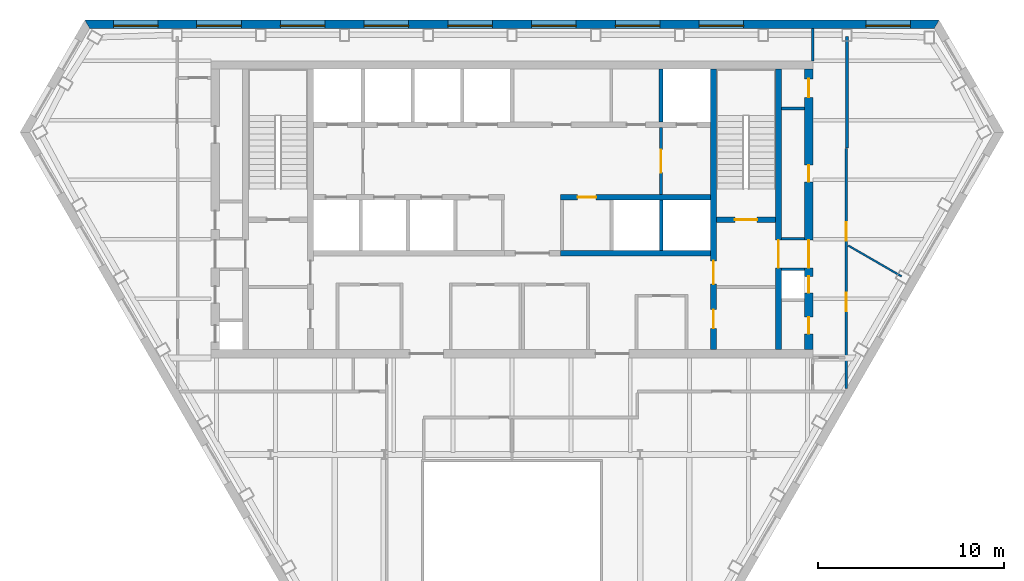
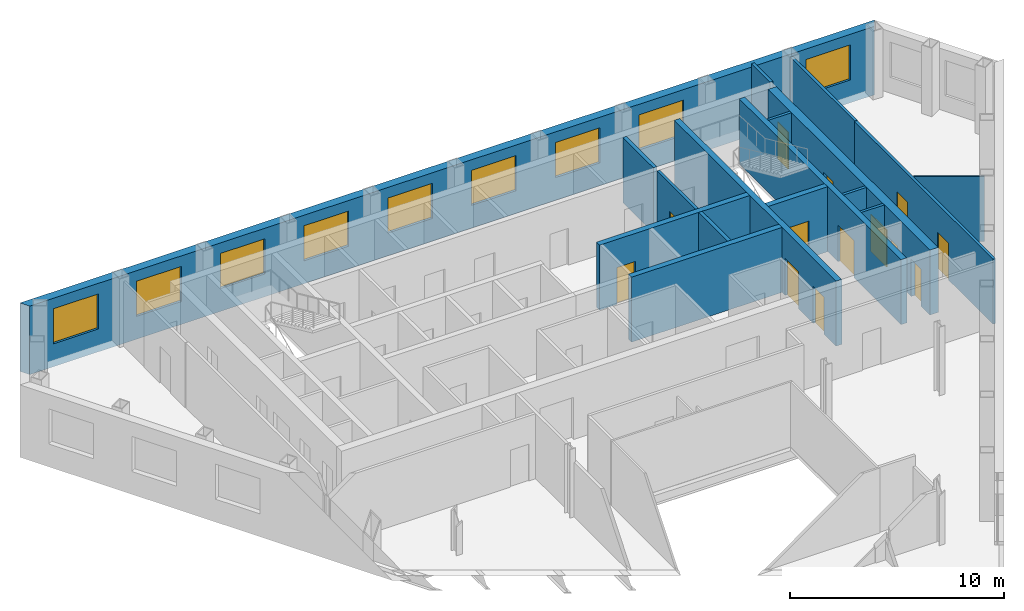
# One storey, part 7 of 11: 17 walls, 13 doors, 9 windows, 22 openings.
"""IFC4 building model written with IfcOpenShell, lengths in metres."""

from ifc_helpers import new_model, si_unit, direction, frame, frame_2d, origin, place, context, subcontext, project, spatial, polyline, rectangle, outline, extrude, material, layer, layer_set, type_object, element, fill, save


model = new_model("IFC4")

# Units and contexts
model_context = context("Model", 3, precision=1e-05, world=origin(), true_north=direction((0.0, 1.0)))
body_context = subcontext(model_context, "Body", "Model", "MODEL_VIEW")
ifc_project = project(units=[si_unit("LENGTHUNIT", "METRE"), si_unit("AREAUNIT", "SQUARE_METRE"), si_unit("VOLUMEUNIT", "CUBIC_METRE"), si_unit("PLANEANGLEUNIT", "RADIAN"), si_unit("MASSUNIT", "GRAM", prefix="KILO")], contexts=[model_context])

# Site, building, storey
site_placement = place(None, origin())
site = spatial("IfcSite", under=ifc_project, at=site_placement, CompositionType="ELEMENT")
building_placement = place(site_placement, origin())
building = spatial("IfcBuilding", under=site, at=building_placement, Name="Njiva Tower", CompositionType="ELEMENT")
storey_placement = place(building_placement, frame((0.0, 0.0, 223.8)))
storey = spatial("IfcBuildingStorey", under=building, at=storey_placement, Name="L50", CompositionType="ELEMENT", Elevation=223.8)

# Wall
ifc_material_1 = material(Name="Blockwork", Category="masonry")
ifc_layer_1 = layer(ifc_material_1, 0.15)
ifc_layer_set_1 = layer_set([ifc_layer_1], Name="Blockwork")
wall_type_1 = type_object("IfcWallType", Name="WT1 Compartment partition 150", PredefinedType="PARTITIONING", material=ifc_layer_set_1)
wall_1_placement = place(storey_placement, frame((14.5, 15.4331, 0.0), z_axis=(0.0, 0.0, 1.0), x_axis=(1.0, 0.0, 0.0)))
element("IfcWall", 1, at=wall_1_placement, inside=storey, type_object=wall_type_1, Name="Partition strip E10", PredefinedType="PARTITIONING", context=body_context, shape_type="SweptSolid", body=[
    extrude(rectangle(XDim=1.25, YDim=0.15, at=frame_2d((0.625, 0.0))), origin(), (0.0, 0.0, 1.0), 3.7),
])

# Wall, openings, doors
ifc_material_2 = material(Name="Concrete C40/50", Category="concrete")
ifc_layer_2 = layer(ifc_material_2, 0.3)
ifc_layer_set_2 = layer_set([ifc_layer_2], Name="Concrete C40/50")
wall_type_2 = type_object("IfcWallType", Name="WT10 Stair enclosure wall 300", PredefinedType="SHEAR", material=ifc_layer_set_2)
wall_2_placement = place(storey_placement, frame((10.85, 2.45, 0.0), z_axis=(0.0, 0.0, 1.0), x_axis=(0.0, 1.0, 0.0)))
wall_2 = element("IfcWall", 2, at=wall_2_placement, inside=storey, type_object=wall_type_2, Name="Stair wall east inner", PredefinedType="SHEAR", context=body_context, shape_type="SweptSolid", body=[
    extrude(rectangle(XDim=15.1, YDim=0.3, at=frame_2d((7.55, 0.0))), origin(), (0.0, 0.0, 1.0), 3.7),
])
opening_1_placement = place(wall_2_placement, frame((3.525, 0.0, 0.0)))
opening_1 = element("IfcOpeningElement", 3, at=opening_1_placement, cuts=wall_2, Name="Opening S16-D919", PredefinedType="OPENING", context=body_context, shape_type="SweptSolid", body=[
    extrude(rectangle(XDim=1.25, YDim=2.1, at=frame_2d((0.625, 1.05))), frame((0.0, 0.16, 0.0), z_axis=(0.0, -1.0, 0.0), x_axis=(1.0, 0.0, 0.0)), (0.0, 0.0, 1.0), 0.32),
])
opening_2_placement = place(wall_2_placement, frame((1.15, 0.0, 0.0)))
opening_2 = element("IfcOpeningElement", 4, at=opening_2_placement, cuts=wall_2, Name="Opening S16-D920", PredefinedType="OPENING", context=body_context, shape_type="SweptSolid", body=[
    extrude(rectangle(XDim=1.0, YDim=2.1, at=frame_2d((0.5, 1.05))), frame((0.0, 0.16, 0.0), z_axis=(0.0, -1.0, 0.0), x_axis=(1.0, 0.0, 0.0)), (0.0, 0.0, 1.0), 0.32),
])
ifc_material_3 = material(Name="Steel door, painted", Category="steel")
door_type_1 = type_object("IfcDoorType", Name="D5 Steel door 1000x2100", OperationType="SINGLE_SWING_LEFT", PredefinedType="DOOR", material=ifc_material_3)
door_1_placement = place(opening_2_placement, origin())
door_1 = element("IfcDoor", 5, at=door_1_placement, inside=storey, type_object=door_type_1, Name="Reading room door", OperationType="SINGLE_SWING_LEFT", OverallHeight=2.1, OverallWidth=1.0, PredefinedType="DOOR", context=body_context, shape_type="SweptSolid", body=[
    extrude(rectangle(XDim=1.0, YDim=2.1, at=frame_2d((0.5, 1.05))), frame((0.0, 0.025, 0.0), z_axis=(0.0, -1.0, 0.0), x_axis=(1.0, 0.0, 0.0)), (0.0, 0.0, 1.0), 0.05),
])
fill(opening_2, door_1)
ifc_material_4 = material(Name="Glazed steel fire door", Category="steel")
door_type_2 = type_object("IfcDoorType", Name="D8 Vestibule corridor door 1250x2100 glazed", OperationType="SINGLE_SWING_LEFT", PredefinedType="DOOR", material=ifc_material_4)
door_2_placement = place(opening_1_placement, origin())
door_2 = element("IfcDoor", 6, at=door_2_placement, inside=storey, type_object=door_type_2, Name="Stair vestibule corridor door", OperationType="SINGLE_SWING_RIGHT", OverallHeight=2.1, OverallWidth=1.25, PredefinedType="DOOR", context=body_context, shape_type="SweptSolid", body=[
    extrude(rectangle(XDim=1.25, YDim=2.1, at=frame_2d((0.625, 1.05))), frame((0.0, 0.025, 0.0), z_axis=(0.0, -1.0, 0.0), x_axis=(1.0, 0.0, 0.0)), (0.0, 0.0, 1.0), 0.05),
])
fill(opening_1, door_2)

# Wall, opening, door
wall_3_placement = place(storey_placement, frame((14.35, 2.45, 0.0), z_axis=(0.0, 0.0, 1.0), x_axis=(0.0, 1.0, 0.0)))
wall_3 = element("IfcWall", 7, at=wall_3_placement, inside=storey, type_object=wall_type_2, Name="Stair wall east outer", PredefinedType="SHEAR", context=body_context, shape_type="SweptSolid", body=[
    extrude(rectangle(XDim=15.1, YDim=0.3, at=frame_2d((7.55, 0.0))), origin(), (0.0, 0.0, 1.0), 3.7),
])
opening_3_placement = place(wall_3_placement, frame((4.4, 0.0, 0.0)))
opening_3 = element("IfcOpeningElement", 8, at=opening_3_placement, cuts=wall_3, Name="Opening S16-D927", PredefinedType="OPENING", context=body_context, shape_type="SweptSolid", body=[
    extrude(rectangle(XDim=1.5, YDim=2.1, at=frame_2d((0.75, 1.05))), frame((0.0, 0.16, 0.0), z_axis=(0.0, -1.0, 0.0), x_axis=(1.0, 0.0, 0.0)), (0.0, 0.0, 1.0), 0.32),
])
door_type_3 = type_object("IfcDoorType", Name="D10 Exit door double 1500x2100 glazed", OperationType="DOUBLE_DOOR_SINGLE_SWING", PredefinedType="DOOR", material=ifc_material_4)
door_3_placement = place(opening_3_placement, origin())
door_3 = element("IfcDoor", 9, at=door_3_placement, inside=storey, type_object=door_type_3, Name="Stair B passage door", OperationType="DOUBLE_DOOR_SINGLE_SWING", OverallHeight=2.1, OverallWidth=1.5, PredefinedType="DOOR", context=body_context, shape_type="SweptSolid", body=[
    extrude(rectangle(XDim=1.5, YDim=2.1, at=frame_2d((0.75, 1.05))), frame((0.0, 0.025, 0.0), z_axis=(0.0, -1.0, 0.0), x_axis=(1.0, 0.0, 0.0)), (0.0, 0.0, 1.0), 0.05),
])
fill(opening_3, door_3)

wall_4_placement = place(storey_placement, frame((11.0, 9.45, 0.0), z_axis=(0.0, 0.0, 1.0), x_axis=(1.0, 0.0, 0.0)))
wall_4 = element("IfcWall", 10, at=wall_4_placement, inside=storey, type_object=wall_type_2, Name="Stair B south wall", PredefinedType="SHEAR", context=body_context, shape_type="SweptSolid", body=[
    extrude(rectangle(XDim=3.2, YDim=0.3, at=frame_2d((1.6, 0.0))), origin(), (0.0, 0.0, 1.0), 3.7),
])
opening_4_placement = place(wall_4_placement, frame((1.0, 0.0, 0.0)))
opening_4 = element("IfcOpeningElement", 11, at=opening_4_placement, cuts=wall_4, Name="Opening S16-D918", PredefinedType="OPENING", context=body_context, shape_type="SweptSolid", body=[
    extrude(rectangle(XDim=1.2, YDim=2.1, at=frame_2d((0.6, 1.05))), frame((0.0, 0.16, 0.0), z_axis=(0.0, -1.0, 0.0), x_axis=(1.0, 0.0, 0.0)), (0.0, 0.0, 1.0), 0.32),
])
door_type_4 = type_object("IfcDoorType", Name="D7 Stair vestibule door 1200x2100 glazed", OperationType="SINGLE_SWING_LEFT", PredefinedType="DOOR", material=ifc_material_4)
door_4_placement = place(opening_4_placement, origin())
door_4 = element("IfcDoor", 12, at=door_4_placement, inside=storey, type_object=door_type_4, Name="Stair B door", OperationType="SINGLE_SWING_LEFT", OverallHeight=2.1, OverallWidth=1.2, PredefinedType="DOOR", context=body_context, shape_type="SweptSolid", body=[
    extrude(rectangle(XDim=1.2, YDim=2.1, at=frame_2d((0.6, 1.05))), frame((0.0, 0.025, 0.0), z_axis=(0.0, -1.0, 0.0), x_axis=(1.0, 0.0, 0.0)), (0.0, 0.0, 1.0), 0.05),
])
fill(opening_4, door_4)

# Wall, openings, doors
ifc_material_5 = material(Name="Concrete C60/75", Category="concrete")
ifc_layer_3 = layer(ifc_material_5, 0.45)
ifc_layer_set_3 = layer_set([ifc_layer_3], Name="Concrete C60/75")
wall_type_3 = type_object("IfcWallType", Name="WT12 Core wall 450", PredefinedType="SHEAR", material=ifc_layer_set_3)
wall_5_placement = place(storey_placement, frame((15.975, 2.45, 0.0), z_axis=(0.0, 0.0, 1.0), x_axis=(0.0, 1.0, 0.0)))
wall_5 = element("IfcWall", 13, at=wall_5_placement, inside=storey, type_object=wall_type_3, Name="Core wall east", PredefinedType="SHEAR", context=body_context, shape_type="SweptSolid", body=[
    extrude(rectangle(XDim=15.1, YDim=0.45, at=frame_2d((7.55, 0.0))), origin(), (0.0, 0.0, 1.0), 3.7),
])
opening_5_placement = place(wall_5_placement, frame((4.4, 0.0, 0.0)))
opening_5 = element("IfcOpeningElement", 14, at=opening_5_placement, cuts=wall_5, Name="Opening S16-D928", PredefinedType="OPENING", context=body_context, shape_type="SweptSolid", body=[
    extrude(rectangle(XDim=1.5, YDim=2.1, at=frame_2d((0.75, 1.05))), frame((0.0, 0.235, 0.0), z_axis=(0.0, -1.0, 0.0), x_axis=(1.0, 0.0, 0.0)), (0.0, 0.0, 1.0), 0.47),
])
opening_6_placement = place(wall_5_placement, frame((0.85, 0.0, 0.0)))
opening_6 = element("IfcOpeningElement", 15, at=opening_6_placement, cuts=wall_5, Name="Opening S16-D929", PredefinedType="OPENING", context=body_context, shape_type="SweptSolid", body=[
    extrude(rectangle(XDim=0.9, YDim=2.1, at=frame_2d((0.45, 1.05))), frame((0.0, 0.235, 0.0), z_axis=(0.0, -1.0, 0.0), x_axis=(1.0, 0.0, 0.0)), (0.0, 0.0, 1.0), 0.47),
])
opening_7_placement = place(wall_5_placement, frame((3.05, 0.0, 0.0)))
opening_7 = element("IfcOpeningElement", 16, at=opening_7_placement, cuts=wall_5, Name="Opening S16-D930", PredefinedType="OPENING", context=body_context, shape_type="SweptSolid", body=[
    extrude(rectangle(XDim=0.9, YDim=2.1, at=frame_2d((0.45, 1.05))), frame((0.0, 0.235, 0.0), z_axis=(0.0, -1.0, 0.0), x_axis=(1.0, 0.0, 0.0)), (0.0, 0.0, 1.0), 0.47),
])
opening_8_placement = place(wall_5_placement, frame((9.0291, 0.0, 0.0)))
opening_8 = element("IfcOpeningElement", 17, at=opening_8_placement, cuts=wall_5, Name="Opening S16-D931", PredefinedType="OPENING", context=body_context, shape_type="SweptSolid", body=[
    extrude(rectangle(XDim=0.9, YDim=2.1, at=frame_2d((0.45, 1.05))), frame((0.0, 0.235, 0.0), z_axis=(0.0, -1.0, 0.0), x_axis=(1.0, 0.0, 0.0)), (0.0, 0.0, 1.0), 0.47),
])
opening_9_placement = place(wall_5_placement, frame((13.5791, 0.0, 0.0)))
opening_9 = element("IfcOpeningElement", 18, at=opening_9_placement, cuts=wall_5, Name="Opening S16-D932", PredefinedType="OPENING", context=body_context, shape_type="SweptSolid", body=[
    extrude(rectangle(XDim=1.0, YDim=2.1, at=frame_2d((0.5, 1.05))), frame((0.0, 0.235, 0.0), z_axis=(0.0, -1.0, 0.0), x_axis=(1.0, 0.0, 0.0)), (0.0, 0.0, 1.0), 0.47),
])
door_5_placement = place(opening_5_placement, origin())
door_5 = element("IfcDoor", 19, at=door_5_placement, inside=storey, type_object=door_type_3, Name="Stair B corridor door", OperationType="DOUBLE_DOOR_SINGLE_SWING", OverallHeight=2.1, OverallWidth=1.5, PredefinedType="DOOR", context=body_context, shape_type="SweptSolid", body=[
    extrude(rectangle(XDim=1.5, YDim=2.1, at=frame_2d((0.75, 1.05))), frame((0.0, 0.025, 0.0), z_axis=(0.0, -1.0, 0.0), x_axis=(1.0, 0.0, 0.0)), (0.0, 0.0, 1.0), 0.05),
])
fill(opening_5, door_5)
door_type_5 = type_object("IfcDoorType", Name="D4 Riser door 900x2100", OperationType="SINGLE_SWING_LEFT", PredefinedType="DOOR", material=ifc_material_3)
door_6_placement = place(opening_7_placement, origin())
door_6 = element("IfcDoor", 20, at=door_6_placement, inside=storey, type_object=door_type_5, Name="Cable riser door", OperationType="SINGLE_SWING_LEFT", OverallHeight=2.1, OverallWidth=0.9, PredefinedType="DOOR", context=body_context, shape_type="SweptSolid", body=[
    extrude(rectangle(XDim=0.9, YDim=2.1, at=frame_2d((0.45, 1.05))), frame((0.0, 0.025, 0.0), z_axis=(0.0, -1.0, 0.0), x_axis=(1.0, 0.0, 0.0)), (0.0, 0.0, 1.0), 0.05),
])
fill(opening_7, door_6)
door_7_placement = place(opening_9_placement, origin())
door_7 = element("IfcDoor", 21, at=door_7_placement, inside=storey, type_object=door_type_1, Name="Telecoms room door", OperationType="SINGLE_SWING_RIGHT", OverallHeight=2.1, OverallWidth=1.0, PredefinedType="DOOR", context=body_context, shape_type="SweptSolid", body=[
    extrude(rectangle(XDim=1.0, YDim=2.1, at=frame_2d((0.5, 1.05))), frame((0.0, 0.025, 0.0), z_axis=(0.0, -1.0, 0.0), x_axis=(1.0, 0.0, 0.0)), (0.0, 0.0, 1.0), 0.05),
])
fill(opening_9, door_7)
ifc_material_6 = material(Name="Steel fire door, painted", Category="steel")
door_type_6 = type_object("IfcDoorType", Name="D6 Fire-rated door 900x2100", OperationType="SINGLE_SWING_LEFT", PredefinedType="DOOR", material=ifc_material_6)
door_8_placement = place(opening_6_placement, origin())
door_8 = element("IfcDoor", 22, at=door_8_placement, inside=storey, type_object=door_type_6, Name="Cable store door", OperationType="SINGLE_SWING_LEFT", OverallHeight=2.1, OverallWidth=0.9, PredefinedType="DOOR", context=body_context, shape_type="SweptSolid", body=[
    extrude(rectangle(XDim=0.9, YDim=2.1, at=frame_2d((0.45, 1.05))), frame((0.0, 0.025, 0.0), z_axis=(0.0, -1.0, 0.0), x_axis=(1.0, 0.0, 0.0)), (0.0, 0.0, 1.0), 0.05),
])
fill(opening_6, door_8)
door_9_placement = place(opening_8_placement, origin())
door_9 = element("IfcDoor", 23, at=door_9_placement, inside=storey, type_object=door_type_6, Name="Cable store door", OperationType="SINGLE_SWING_RIGHT", OverallHeight=2.1, OverallWidth=0.9, PredefinedType="DOOR", context=body_context, shape_type="SweptSolid", body=[
    extrude(rectangle(XDim=0.9, YDim=2.1, at=frame_2d((0.45, 1.05))), frame((0.0, 0.025, 0.0), z_axis=(0.0, -1.0, 0.0), x_axis=(1.0, 0.0, 0.0)), (0.0, 0.0, 1.0), 0.05),
])
fill(opening_8, door_9)

# Wall, opening, door
ifc_layer_4 = layer(ifc_material_1, 0.15)
ifc_layer_set_4 = layer_set([ifc_layer_4], Name="Blockwork")
wall_type_4 = type_object("IfcWallType", Name="WT2 Lobby partition 150", PredefinedType="PARTITIONING", material=ifc_layer_set_4)
wall_6_placement = place(storey_placement, frame((8.025, 10.8, 0.0), z_axis=(0.0, 0.0, 1.0), x_axis=(0.0, 1.0, 0.0)))
wall_6 = element("IfcWall", 24, at=wall_6_placement, inside=storey, type_object=wall_type_4, Name="Firefighting lobby wall B", PredefinedType="PARTITIONING", context=body_context, shape_type="SweptSolid", body=[
    extrude(rectangle(XDim=3.6, YDim=0.15, at=frame_2d((1.8, 0.0))), origin(), (0.0, 0.0, 1.0), 3.7),
])
opening_10_placement = place(wall_6_placement, frame((1.175, 0.0, 0.0)))
opening_10 = element("IfcOpeningElement", 25, at=opening_10_placement, cuts=wall_6, Name="Opening S16-D917", PredefinedType="OPENING", context=body_context, shape_type="SweptSolid", body=[
    extrude(rectangle(XDim=1.25, YDim=2.1, at=frame_2d((0.625, 1.05))), frame((0.0, 0.085, 0.0), z_axis=(0.0, -1.0, 0.0), x_axis=(1.0, 0.0, 0.0)), (0.0, 0.0, 1.0), 0.17),
])
door_10_placement = place(opening_10_placement, origin())
door_10 = element("IfcDoor", 26, at=door_10_placement, inside=storey, type_object=door_type_2, Name="Stair vestibule corridor door", OperationType="SINGLE_SWING_LEFT", OverallHeight=2.1, OverallWidth=1.25, PredefinedType="DOOR", context=body_context, shape_type="SweptSolid", body=[
    extrude(rectangle(XDim=1.25, YDim=2.1, at=frame_2d((0.625, 1.05))), frame((0.0, 0.025, 0.0), z_axis=(0.0, -1.0, 0.0), x_axis=(1.0, 0.0, 0.0)), (0.0, 0.0, 1.0), 0.05),
])
fill(opening_10, door_10)

# Walls
ifc_material_7 = material(Name="Gypsum board on steel studs", Category="gypsum")
ifc_layer_5 = layer(ifc_material_7, 0.1)
ifc_layer_set_5 = layer_set([ifc_layer_5], Name="Gypsum board on steel studs")
wall_type_5 = type_object("IfcWallType", Name="WT20 Gypsum partition 100", PredefinedType="PARTITIONING", material=ifc_layer_set_5)
wall_7_placement = place(storey_placement, frame((18.102, 8.056, 0.0), z_axis=(0.0, 0.0, 1.0), x_axis=(0.865934672737, -0.500157117865, 0.0)))
element("IfcWall", 27, at=wall_7_placement, inside=storey, type_object=wall_type_5, Name="Partition S16-P027", PredefinedType="PARTITIONING", context=body_context, shape_type="SweptSolid", body=[
    extrude(rectangle(XDim=3.319, YDim=0.1, at=frame_2d((1.6595, 0.0))), origin(), (0.0, 0.0, 1.0), 3.7),
])
ifc_layer_6 = layer(ifc_material_7, 0.15)
ifc_layer_set_6 = layer_set([ifc_layer_6], Name="Gypsum board on steel studs")
wall_type_6 = type_object("IfcWallType", Name="WT21 Compartment wall 150", PredefinedType="PARTITIONING", material=ifc_layer_set_6)
wall_8_placement = place(storey_placement, frame((16.2, 18.0, 0.0), z_axis=(0.0, 0.0, 1.0), x_axis=(0.0, 1.0, 0.0)))
element("IfcWall", 28, at=wall_8_placement, inside=storey, type_object=wall_type_6, Name="Partition S16-P024", PredefinedType="PARTITIONING", context=body_context, shape_type="SweptSolid", body=[
    extrude(rectangle(XDim=1.75, YDim=0.15, at=frame_2d((0.875, 0.0))), origin(), (0.0, 0.0, 1.0), 3.7),
])

# Wall, openings, doors
wall_9_placement = place(storey_placement, frame((18.001, 0.343, 0.0), z_axis=(0.0, 0.0, 1.0), x_axis=(7.7291699e-05, 0.999999997013, 0.0)))
wall_9 = element("IfcWall", 29, at=wall_9_placement, inside=storey, type_object=wall_type_6, Name="Partition S16-P025", PredefinedType="PARTITIONING", context=body_context, shape_type="SweptSolid", body=[
    extrude(rectangle(XDim=12.938, YDim=0.15, at=frame_2d((6.469, 0.0))), origin(), (0.0, 0.0, 1.0), 3.7),
])
opening_11_placement = place(wall_9_placement, frame((4.163, 0.0, 0.0)))
opening_11 = element("IfcOpeningElement", 30, at=opening_11_placement, cuts=wall_9, Name="Opening S16-D014", PredefinedType="OPENING", context=body_context, shape_type="SweptSolid", body=[
    extrude(rectangle(XDim=1.0, YDim=2.1, at=frame_2d((0.5, 1.05))), frame((0.0, 0.085, 0.0), z_axis=(0.0, -1.0, 0.0), x_axis=(1.0, 0.0, 0.0)), (0.0, 0.0, 1.0), 0.17),
])
opening_12_placement = place(wall_9_placement, frame((7.973, 0.0, 0.0)))
opening_12 = element("IfcOpeningElement", 31, at=opening_12_placement, cuts=wall_9, Name="Opening S16-D015", PredefinedType="OPENING", context=body_context, shape_type="SweptSolid", body=[
    extrude(rectangle(XDim=1.0, YDim=2.1, at=frame_2d((0.5, 1.05))), frame((0.0, 0.085, 0.0), z_axis=(0.0, -1.0, 0.0), x_axis=(1.0, 0.0, 0.0)), (0.0, 0.0, 1.0), 0.17),
])
ifc_material_8 = material(Name="Steel fire door set", Category="steel")
door_type_7 = type_object("IfcDoorType", Name="D37 Fire door 1000x2100", OperationType="SINGLE_SWING_LEFT", PredefinedType="DOOR", material=ifc_material_8)
door_11_placement = place(opening_11_placement, origin())
door_11 = element("IfcDoor", 32, at=door_11_placement, inside=storey, type_object=door_type_7, Name="Door S16-D014", OperationType="SINGLE_SWING_LEFT", OverallHeight=2.1, OverallWidth=1.0, PredefinedType="DOOR", context=body_context, shape_type="SweptSolid", body=[
    extrude(rectangle(XDim=1.0, YDim=2.1, at=frame_2d((0.5, 1.05))), frame((0.0, 0.025, 0.0), z_axis=(0.0, -1.0, 0.0), x_axis=(1.0, 0.0, 0.0)), (0.0, 0.0, 1.0), 0.05),
])
fill(opening_11, door_11)
door_12_placement = place(opening_12_placement, origin())
door_12 = element("IfcDoor", 33, at=door_12_placement, inside=storey, type_object=door_type_7, Name="Door S16-D015", OperationType="SINGLE_SWING_RIGHT", OverallHeight=2.1, OverallWidth=1.0, PredefinedType="DOOR", context=body_context, shape_type="SweptSolid", body=[
    extrude(rectangle(XDim=1.0, YDim=2.1, at=frame_2d((0.5, 1.05))), frame((0.0, 0.025, 0.0), z_axis=(0.0, -1.0, 0.0), x_axis=(1.0, 0.0, 0.0)), (0.0, 0.0, 1.0), 0.05),
])
fill(opening_12, door_12)

# Walls
wall_10_placement = place(storey_placement, frame((18.034, 13.3, 0.0), z_axis=(0.0, 0.0, 1.0), x_axis=(0.0, 1.0, 0.0)))
element("IfcWall", 34, at=wall_10_placement, inside=storey, type_object=wall_type_6, Name="Partition S16-P026", PredefinedType="PARTITIONING", context=body_context, shape_type="SweptSolid", body=[
    extrude(rectangle(XDim=6.0, YDim=0.15, at=frame_2d((3.0, 0.0))), origin(), (0.0, 0.0, 1.0), 3.7),
])
ifc_layer_7 = layer(ifc_material_1, 0.15)
ifc_layer_set_7 = layer_set([ifc_layer_7], Name="Blockwork")
wall_type_7 = type_object("IfcWallType", Name="WT4 Stair partition 150", PredefinedType="PARTITIONING", material=ifc_layer_set_7)
for number, where, z_axis, x_axis, name in (
    (35, (14.5, 6.775, 0.0), (0.0, 0.0, 1.0), (1.0, 0.0, 0.0), "Stair B exit passage wall south"),
    (36, (14.5, 8.425, 0.0), (0.0, 0.0, 1.0), (1.0, 0.0, 0.0), "Stair B exit passage wall north"),
):
    element("IfcWall", number, at=place(storey_placement, frame(where, z_axis=z_axis, x_axis=x_axis)), inside=storey, type_object=wall_type_7, Name=name, PredefinedType="PARTITIONING", context=body_context, shape_type="SweptSolid", body=[
        extrude(rectangle(XDim=1.25, YDim=0.15, at=frame_2d((0.625, 0.0))), origin(), (0.0, 0.0, 1.0), 3.7),
    ])
ifc_layer_8 = layer(ifc_material_2, 0.2)
ifc_layer_set_8 = layer_set([ifc_layer_8], Name="Concrete C40/50")
wall_type_8 = type_object("IfcWallType", Name="WT6 Lift shaft wall 200", PredefinedType="SHEAR", material=ifc_layer_set_8)
wall_11_placement = place(storey_placement, frame((8.025, 14.7, 0.0), z_axis=(0.0, 0.0, 1.0), x_axis=(0.0, 1.0, 0.0)))
element("IfcWall", 37, at=wall_11_placement, inside=storey, type_object=wall_type_8, Name="Shaft wall CN7", PredefinedType="SHEAR", context=body_context, shape_type="SweptSolid", body=[
    extrude(rectangle(XDim=2.85, YDim=0.2, at=frame_2d((1.425, 0.0))), origin(), (0.0, 0.0, 1.0), 3.7),
])
wall_12_placement = place(storey_placement, frame((8.0333, 7.8, 0.0), z_axis=(0.0, 0.0, 1.0), x_axis=(0.0, 1.0, 0.0)))
element("IfcWall", 38, at=wall_12_placement, inside=storey, type_object=wall_type_8, Name="Shaft wall CS7", PredefinedType="SHEAR", context=body_context, shape_type="SweptSolid", body=[
    extrude(rectangle(XDim=2.7, YDim=0.2, at=frame_2d((1.35, 0.0))), origin(), (0.0, 0.0, 1.0), 3.7),
])

# Wall, opening, door
ifc_layer_9 = layer(ifc_material_2, 0.3)
ifc_layer_set_9 = layer_set([ifc_layer_9], Name="Concrete C40/50")
wall_type_9 = type_object("IfcWallType", Name="WT7 Lift shaft wall 300", PredefinedType="SHEAR", material=ifc_layer_set_9)
wall_13_placement = place(storey_placement, frame((2.6, 10.65, 0.0), z_axis=(0.0, 0.0, 1.0), x_axis=(1.0, 0.0, 0.0)))
wall_13 = element("IfcWall", 39, at=wall_13_placement, inside=storey, type_object=wall_type_9, Name="Shaft wall south row lobby side E", PredefinedType="SHEAR", context=body_context, shape_type="SweptSolid", body=[
    extrude(rectangle(XDim=8.1, YDim=0.3, at=frame_2d((4.05, 0.0))), origin(), (0.0, 0.0, 1.0), 3.7),
])
opening_13_placement = place(wall_13_placement, frame((0.9334, 0.0, 0.0)))
opening_13 = element("IfcOpeningElement", 40, at=opening_13_placement, cuts=wall_13, Name="Opening S16-D912", PredefinedType="OPENING", context=body_context, shape_type="SweptSolid", body=[
    extrude(rectangle(XDim=1.0, YDim=2.1, at=frame_2d((0.5, 1.05))), frame((0.0, 0.16, 0.0), z_axis=(0.0, -1.0, 0.0), x_axis=(1.0, 0.0, 0.0)), (0.0, 0.0, 1.0), 0.32),
])
door_13_placement = place(opening_13_placement, origin())
door_13 = element("IfcDoor", 41, at=door_13_placement, inside=storey, type_object=door_type_1, Name="First aid room door", OperationType="SINGLE_SWING_LEFT", OverallHeight=2.1, OverallWidth=1.0, PredefinedType="DOOR", context=body_context, shape_type="SweptSolid", body=[
    extrude(rectangle(XDim=1.0, YDim=2.1, at=frame_2d((0.5, 1.05))), frame((0.0, 0.025, 0.0), z_axis=(0.0, -1.0, 0.0), x_axis=(1.0, 0.0, 0.0)), (0.0, 0.0, 1.0), 0.05),
])
fill(opening_13, door_13)

# Wall
wall_14_placement = place(storey_placement, frame((2.6, 7.65, 0.0), z_axis=(0.0, 0.0, 1.0), x_axis=(1.0, 0.0, 0.0)))
element("IfcWall", 42, at=wall_14_placement, inside=storey, type_object=wall_type_9, Name="Shaft wall south row back E", PredefinedType="SHEAR", context=body_context, shape_type="SweptSolid", body=[
    extrude(rectangle(XDim=8.1, YDim=0.3, at=frame_2d((4.05, 0.0))), origin(), (0.0, 0.0, 1.0), 3.7),
])

# Wall, openings, windows
ifc_material_9 = material(Name="Brick masonry", Category="masonry")
ifc_layer_10 = layer(ifc_material_9, 0.45)
ifc_layer_set_10 = layer_set([ifc_layer_10], Name="Brick masonry")
wall_type_10 = type_object("IfcWallType", Name="WT90 Brick pier and spandrel wall 450", PredefinedType="SOLIDWALL", material=ifc_layer_set_10)
wall_15_placement = place(storey_placement, frame((22.8751, 19.975, -0.4), z_axis=(0.0, 0.0, 1.0), x_axis=(-1.0, 0.0, 0.0)))
wall_15 = element("IfcWall", 43, at=wall_15_placement, inside=storey, type_object=wall_type_10, Name="Facade wall N", PredefinedType="SOLIDWALL", context=body_context, shape_type="SweptSolid", body=[
    extrude(outline(polyline([(-0.1299, -0.225), (45.8801, -0.225), (45.6203, 0.225), (0.1299, 0.225), (-0.1299, -0.225)])), origin(), (0.0, 0.0, 1.0), 3.9),
])
opening_14_placement = place(wall_15_placement, frame((1.4247, 0.0, 1.3)))
opening_14 = element("IfcOpeningElement", 44, at=opening_14_placement, cuts=wall_15, Name="Opening S16-W01", PredefinedType="OPENING", context=body_context, shape_type="SweptSolid", body=[
    extrude(rectangle(XDim=2.4, YDim=2.0, at=frame_2d((1.2, 1.0))), frame((0.0, 0.235, 0.0), z_axis=(0.0, -1.0, 0.0), x_axis=(1.0, 0.0, 0.0)), (0.0, 0.0, 1.0), 0.47),
])
opening_15_placement = place(wall_15_placement, frame((10.4035, 0.0, 1.3)))
opening_15 = element("IfcOpeningElement", 45, at=opening_15_placement, cuts=wall_15, Name="Opening S16-W02", PredefinedType="OPENING", context=body_context, shape_type="SweptSolid", body=[
    extrude(rectangle(XDim=2.4, YDim=2.0, at=frame_2d((1.2, 1.0))), frame((0.0, 0.235, 0.0), z_axis=(0.0, -1.0, 0.0), x_axis=(1.0, 0.0, 0.0)), (0.0, 0.0, 1.0), 0.47),
])
opening_16_placement = place(wall_15_placement, frame((14.9122, 0.0, 1.3)))
opening_16 = element("IfcOpeningElement", 46, at=opening_16_placement, cuts=wall_15, Name="Opening S16-W03", PredefinedType="OPENING", context=body_context, shape_type="SweptSolid", body=[
    extrude(rectangle(XDim=2.4, YDim=2.0, at=frame_2d((1.2, 1.0))), frame((0.0, 0.235, 0.0), z_axis=(0.0, -1.0, 0.0), x_axis=(1.0, 0.0, 0.0)), (0.0, 0.0, 1.0), 0.47),
])
opening_17_placement = place(wall_15_placement, frame((19.4208, 0.0, 1.3)))
opening_17 = element("IfcOpeningElement", 47, at=opening_17_placement, cuts=wall_15, Name="Opening S16-W04", PredefinedType="OPENING", context=body_context, shape_type="SweptSolid", body=[
    extrude(rectangle(XDim=2.4, YDim=2.0, at=frame_2d((1.2, 1.0))), frame((0.0, 0.235, 0.0), z_axis=(0.0, -1.0, 0.0), x_axis=(1.0, 0.0, 0.0)), (0.0, 0.0, 1.0), 0.47),
])
opening_18_placement = place(wall_15_placement, frame((23.9294, 0.0, 1.3)))
opening_18 = element("IfcOpeningElement", 48, at=opening_18_placement, cuts=wall_15, Name="Opening S16-W05", PredefinedType="OPENING", context=body_context, shape_type="SweptSolid", body=[
    extrude(rectangle(XDim=2.4, YDim=2.0, at=frame_2d((1.2, 1.0))), frame((0.0, 0.235, 0.0), z_axis=(0.0, -1.0, 0.0), x_axis=(1.0, 0.0, 0.0)), (0.0, 0.0, 1.0), 0.47),
])
opening_19_placement = place(wall_15_placement, frame((28.438, 0.0, 1.3)))
opening_19 = element("IfcOpeningElement", 49, at=opening_19_placement, cuts=wall_15, Name="Opening S16-W06", PredefinedType="OPENING", context=body_context, shape_type="SweptSolid", body=[
    extrude(rectangle(XDim=2.4, YDim=2.0, at=frame_2d((1.2, 1.0))), frame((0.0, 0.235, 0.0), z_axis=(0.0, -1.0, 0.0), x_axis=(1.0, 0.0, 0.0)), (0.0, 0.0, 1.0), 0.47),
])
opening_20_placement = place(wall_15_placement, frame((32.9466, 0.0, 1.3)))
opening_20 = element("IfcOpeningElement", 50, at=opening_20_placement, cuts=wall_15, Name="Opening S16-W07", PredefinedType="OPENING", context=body_context, shape_type="SweptSolid", body=[
    extrude(rectangle(XDim=2.4, YDim=2.0, at=frame_2d((1.2, 1.0))), frame((0.0, 0.235, 0.0), z_axis=(0.0, -1.0, 0.0), x_axis=(1.0, 0.0, 0.0)), (0.0, 0.0, 1.0), 0.47),
])
opening_21_placement = place(wall_15_placement, frame((37.4553, 0.0, 1.3)))
opening_21 = element("IfcOpeningElement", 51, at=opening_21_placement, cuts=wall_15, Name="Opening S16-W08", PredefinedType="OPENING", context=body_context, shape_type="SweptSolid", body=[
    extrude(rectangle(XDim=2.4, YDim=2.0, at=frame_2d((1.2, 1.0))), frame((0.0, 0.235, 0.0), z_axis=(0.0, -1.0, 0.0), x_axis=(1.0, 0.0, 0.0)), (0.0, 0.0, 1.0), 0.47),
])
opening_22_placement = place(wall_15_placement, frame((41.9255, 0.0, 1.3)))
opening_22 = element("IfcOpeningElement", 52, at=opening_22_placement, cuts=wall_15, Name="Opening S16-W09", PredefinedType="OPENING", context=body_context, shape_type="SweptSolid", body=[
    extrude(rectangle(XDim=2.4, YDim=2.0, at=frame_2d((1.2, 1.0))), frame((0.0, 0.235, 0.0), z_axis=(0.0, -1.0, 0.0), x_axis=(1.0, 0.0, 0.0)), (0.0, 0.0, 1.0), 0.47),
])
ifc_material_10 = material(Name="Clear glazing in aluminium frame", Category="aluminium")
window_type = type_object("IfcWindowType", Name="W90 Deep-set window 2400x2000", PartitioningType="SINGLE_PANEL", PredefinedType="WINDOW", material=ifc_material_10)
window_1_placement = place(opening_14_placement, origin())
window_1 = element("IfcWindow", 53, at=window_1_placement, inside=storey, type_object=window_type, Name="Window", OverallHeight=2.0, OverallWidth=2.4, PartitioningType="SINGLE_PANEL", PredefinedType="WINDOW", context=body_context, shape_type="SweptSolid", body=[
    extrude(rectangle(XDim=2.4, YDim=2.0, at=frame_2d((1.2, 1.0))), frame((0.0, 0.105, 0.0), z_axis=(0.0, -1.0, 0.0), x_axis=(1.0, 0.0, 0.0)), (0.0, 0.0, 1.0), 0.06),
])
fill(opening_14, window_1)
window_2_placement = place(opening_15_placement, origin())
window_2 = element("IfcWindow", 54, at=window_2_placement, inside=storey, type_object=window_type, Name="Window", OverallHeight=2.0, OverallWidth=2.4, PartitioningType="SINGLE_PANEL", PredefinedType="WINDOW", context=body_context, shape_type="SweptSolid", body=[
    extrude(rectangle(XDim=2.4, YDim=2.0, at=frame_2d((1.2, 1.0))), frame((0.0, 0.105, 0.0), z_axis=(0.0, -1.0, 0.0), x_axis=(1.0, 0.0, 0.0)), (0.0, 0.0, 1.0), 0.06),
])
fill(opening_15, window_2)
window_3_placement = place(opening_16_placement, origin())
window_3 = element("IfcWindow", 55, at=window_3_placement, inside=storey, type_object=window_type, Name="Window", OverallHeight=2.0, OverallWidth=2.4, PartitioningType="SINGLE_PANEL", PredefinedType="WINDOW", context=body_context, shape_type="SweptSolid", body=[
    extrude(rectangle(XDim=2.4, YDim=2.0, at=frame_2d((1.2, 1.0))), frame((0.0, 0.105, 0.0), z_axis=(0.0, -1.0, 0.0), x_axis=(1.0, 0.0, 0.0)), (0.0, 0.0, 1.0), 0.06),
])
fill(opening_16, window_3)
window_4_placement = place(opening_17_placement, origin())
window_4 = element("IfcWindow", 56, at=window_4_placement, inside=storey, type_object=window_type, Name="Window", OverallHeight=2.0, OverallWidth=2.4, PartitioningType="SINGLE_PANEL", PredefinedType="WINDOW", context=body_context, shape_type="SweptSolid", body=[
    extrude(rectangle(XDim=2.4, YDim=2.0, at=frame_2d((1.2, 1.0))), frame((0.0, 0.105, 0.0), z_axis=(0.0, -1.0, 0.0), x_axis=(1.0, 0.0, 0.0)), (0.0, 0.0, 1.0), 0.06),
])
fill(opening_17, window_4)
window_5_placement = place(opening_18_placement, origin())
window_5 = element("IfcWindow", 57, at=window_5_placement, inside=storey, type_object=window_type, Name="Window", OverallHeight=2.0, OverallWidth=2.4, PartitioningType="SINGLE_PANEL", PredefinedType="WINDOW", context=body_context, shape_type="SweptSolid", body=[
    extrude(rectangle(XDim=2.4, YDim=2.0, at=frame_2d((1.2, 1.0))), frame((0.0, 0.105, 0.0), z_axis=(0.0, -1.0, 0.0), x_axis=(1.0, 0.0, 0.0)), (0.0, 0.0, 1.0), 0.06),
])
fill(opening_18, window_5)
window_6_placement = place(opening_19_placement, origin())
window_6 = element("IfcWindow", 58, at=window_6_placement, inside=storey, type_object=window_type, Name="Window", OverallHeight=2.0, OverallWidth=2.4, PartitioningType="SINGLE_PANEL", PredefinedType="WINDOW", context=body_context, shape_type="SweptSolid", body=[
    extrude(rectangle(XDim=2.4, YDim=2.0, at=frame_2d((1.2, 1.0))), frame((0.0, 0.105, 0.0), z_axis=(0.0, -1.0, 0.0), x_axis=(1.0, 0.0, 0.0)), (0.0, 0.0, 1.0), 0.06),
])
fill(opening_19, window_6)
window_7_placement = place(opening_20_placement, origin())
window_7 = element("IfcWindow", 59, at=window_7_placement, inside=storey, type_object=window_type, Name="Window", OverallHeight=2.0, OverallWidth=2.4, PartitioningType="SINGLE_PANEL", PredefinedType="WINDOW", context=body_context, shape_type="SweptSolid", body=[
    extrude(rectangle(XDim=2.4, YDim=2.0, at=frame_2d((1.2, 1.0))), frame((0.0, 0.105, 0.0), z_axis=(0.0, -1.0, 0.0), x_axis=(1.0, 0.0, 0.0)), (0.0, 0.0, 1.0), 0.06),
])
fill(opening_20, window_7)
window_8_placement = place(opening_21_placement, origin())
window_8 = element("IfcWindow", 60, at=window_8_placement, inside=storey, type_object=window_type, Name="Window", OverallHeight=2.0, OverallWidth=2.4, PartitioningType="SINGLE_PANEL", PredefinedType="WINDOW", context=body_context, shape_type="SweptSolid", body=[
    extrude(rectangle(XDim=2.4, YDim=2.0, at=frame_2d((1.2, 1.0))), frame((0.0, 0.105, 0.0), z_axis=(0.0, -1.0, 0.0), x_axis=(1.0, 0.0, 0.0)), (0.0, 0.0, 1.0), 0.06),
])
fill(opening_21, window_8)
window_9_placement = place(opening_22_placement, origin())
window_9 = element("IfcWindow", 61, at=window_9_placement, inside=storey, type_object=window_type, Name="Window", OverallHeight=2.0, OverallWidth=2.4, PartitioningType="SINGLE_PANEL", PredefinedType="WINDOW", context=body_context, shape_type="SweptSolid", body=[
    extrude(rectangle(XDim=2.4, YDim=2.0, at=frame_2d((1.2, 1.0))), frame((0.0, 0.105, 0.0), z_axis=(0.0, -1.0, 0.0), x_axis=(1.0, 0.0, 0.0)), (0.0, 0.0, 1.0), 0.06),
])
fill(opening_22, window_9)

save(model, "model.ifc")
